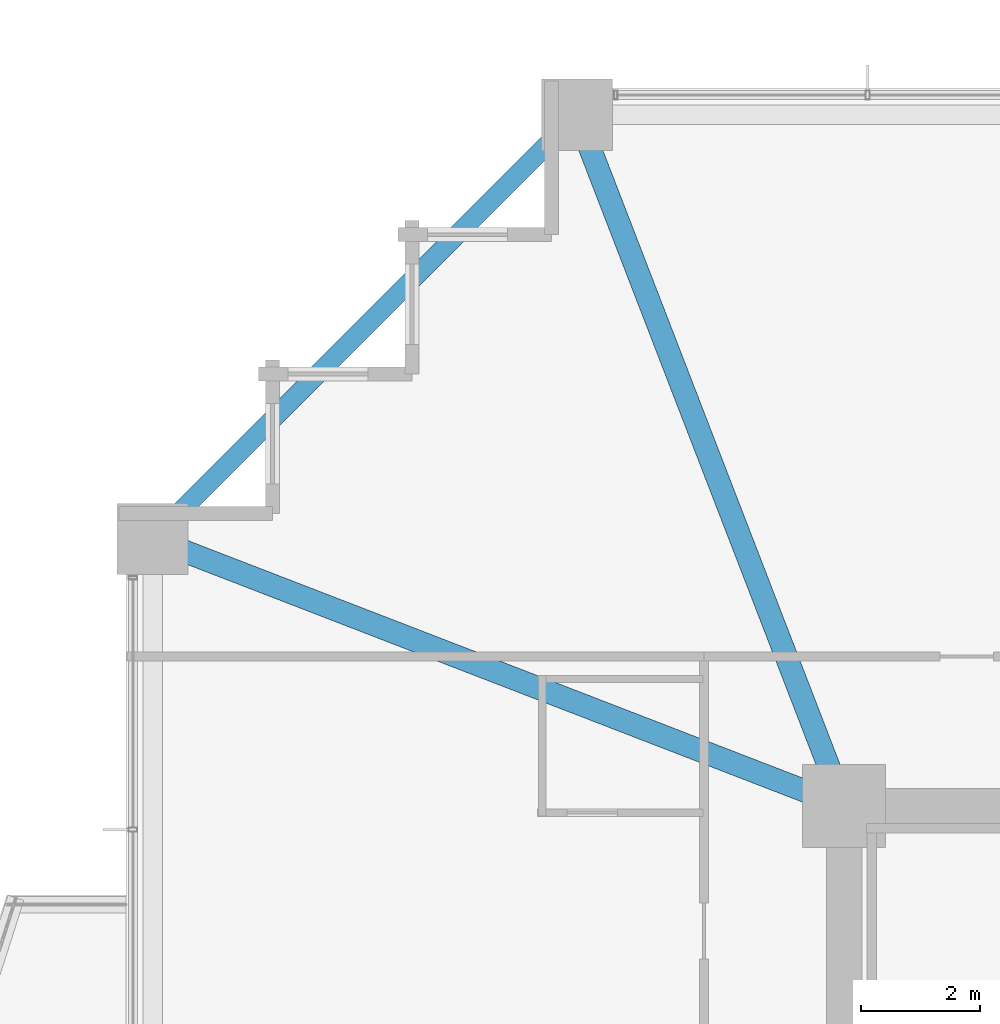
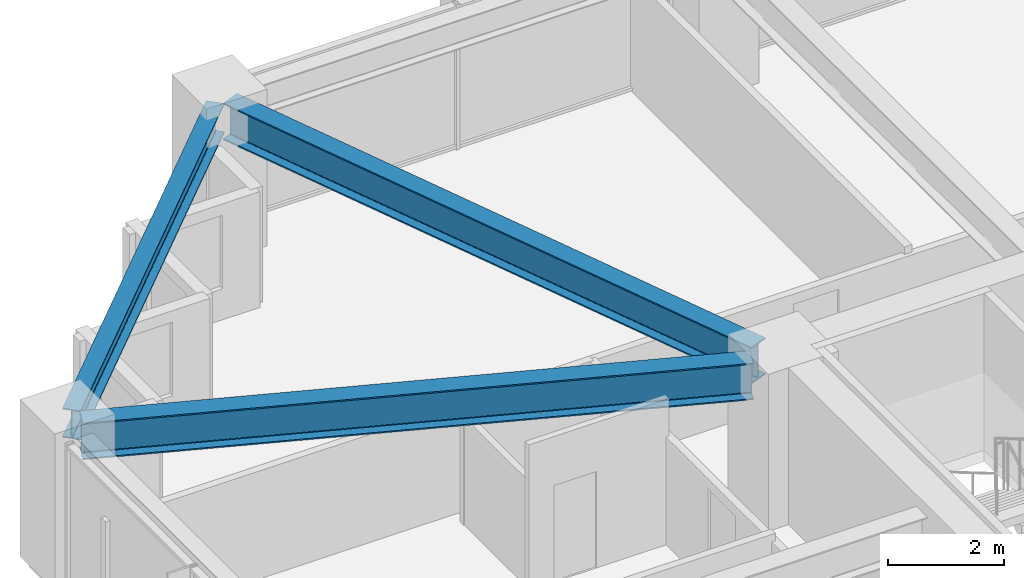
# One storey, part 20 of 38: 3 beams.
"""IFC4 building model written with IfcOpenShell, lengths in metres."""

from ifc_helpers import new_model, si_unit, direction, frame, origin, origin_2d, place, context, subcontext, project, spatial, i_section, extrude, material, material_profile, profile_set, type_object, element, save


model = new_model("IFC4")

# Units and contexts
model_context = context("Model", 3, precision=1e-05, world=origin(), true_north=direction((0.0, 1.0)))
body_context = subcontext(model_context, "Body", "Model", "MODEL_VIEW")
ifc_project = project(units=[si_unit("LENGTHUNIT", "METRE"), si_unit("AREAUNIT", "SQUARE_METRE"), si_unit("VOLUMEUNIT", "CUBIC_METRE"), si_unit("PLANEANGLEUNIT", "RADIAN"), si_unit("MASSUNIT", "GRAM", prefix="KILO")], contexts=[model_context])

# Site, building, storey
site_placement = place(None, origin())
site = spatial("IfcSite", under=ifc_project, at=site_placement, CompositionType="ELEMENT")
building_placement = place(site_placement, origin())
building = spatial("IfcBuilding", under=site, at=building_placement, Name="Kolvaren Belvedere", CompositionType="ELEMENT")
storey_placement = place(building_placement, frame((0.0, 0.0, 53.5)))
storey = spatial("IfcBuildingStorey", under=building, at=storey_placement, Name="L15", CompositionType="ELEMENT", Elevation=53.5)

# Beams
ifc_material_1 = material(Name="Structural steel ASTM A992 Grade 50", Category="steel")
ifc_material_profile_1 = material_profile(ifc_material_1, i_section(OverallWidth=0.381103515625, OverallDepth=0.77294921875, WebThickness=0.0166015625, FlangeThickness=0.027099609375, FilletRadius=0.02392578125, at=origin_2d()), Name="W30X173")
ifc_profile_set_1 = profile_set([ifc_material_profile_1], Name="Structural steel ASTM A992 Grade 50")
beam_type_1 = type_object("IfcBeamType", Name="BM-GIRD-W30X173", PredefinedType="BEAM", material=ifc_profile_set_1)
for number, where, z_axis, x_axis, name in (
    (1, (-10.09814453125, 10.4130859375, 2.673583984375), (-0.360318391835, 0.932829382313, 0.0), (-0.932829382313, -0.360318391835, 0.0), "L15 Corner Core-to-Perimeter Girder CC4-N1"),
    (2, (-10.4130859375, 10.09814453125, 2.673583984375), (-0.932829382313, 0.360318391835, 0.0), (-0.360318391835, -0.932829382313, 0.0), "L15 Corner Core-to-Perimeter Girder CC4-W4"),
):
    element("IfcBeam", number, at=place(storey_placement, frame(where, z_axis=z_axis, x_axis=x_axis)), inside=storey, type_object=beam_type_1, Name=name, PredefinedType="BEAM", context=body_context, shape_type="SweptSolid", body=[
        extrude(i_section(OverallWidth=0.381103515625, OverallDepth=0.77294921875, WebThickness=0.0166015625, FlangeThickness=0.027099609375, FilletRadius=0.02392578125, at=origin_2d()), origin(), (0.0, 0.0, 1.0), 11.698974609375),
    ])
ifc_material_2 = material(Name="Structural steel ASTM A992 Grade 50", Category="steel")
ifc_material_profile_2 = material_profile(ifc_material_2, i_section(OverallWidth=0.324951171875, OverallDepth=0.615966796875, WebThickness=0.013916015625, FlangeThickness=0.021484375, FilletRadius=0.02001953125, at=origin_2d()), Name="W24X117")
ifc_profile_set_2 = profile_set([ifc_material_profile_2], Name="Structural steel ASTM A992 Grade 50")
beam_type_2 = type_object("IfcBeamType", Name="BM-SPAN-W24X117", PredefinedType="SPANDREL", material=ifc_profile_set_2)
beam_placement = place(storey_placement, frame((-14.5908203125, 21.359130859375, 2.751953125), z_axis=(-0.707106781187, -0.707106781187, 0.0), x_axis=(0.707106781187, -0.707106781187, 0.0)))
element("IfcBeam", 3, at=beam_placement, inside=storey, type_object=beam_type_2, Name="L15 Perimeter Spandrel N1-W4", PredefinedType="SPANDREL", context=body_context, shape_type="SweptSolid", body=[
    extrude(i_section(OverallWidth=0.324951171875, OverallDepth=0.615966796875, WebThickness=0.013916015625, FlangeThickness=0.021484375, FilletRadius=0.02001953125, at=origin_2d()), origin(), (0.0, 0.0, 1.0), 9.57177734375),
])

save(model, "model.ifc")
